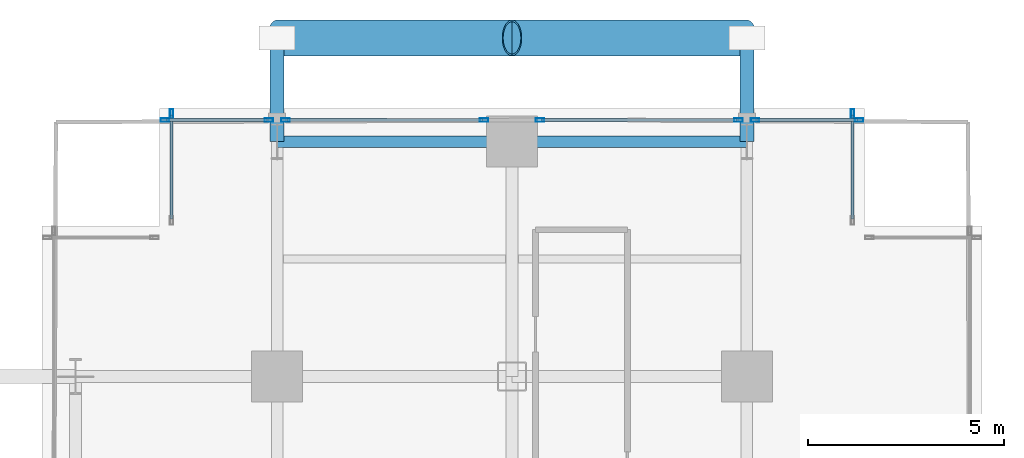
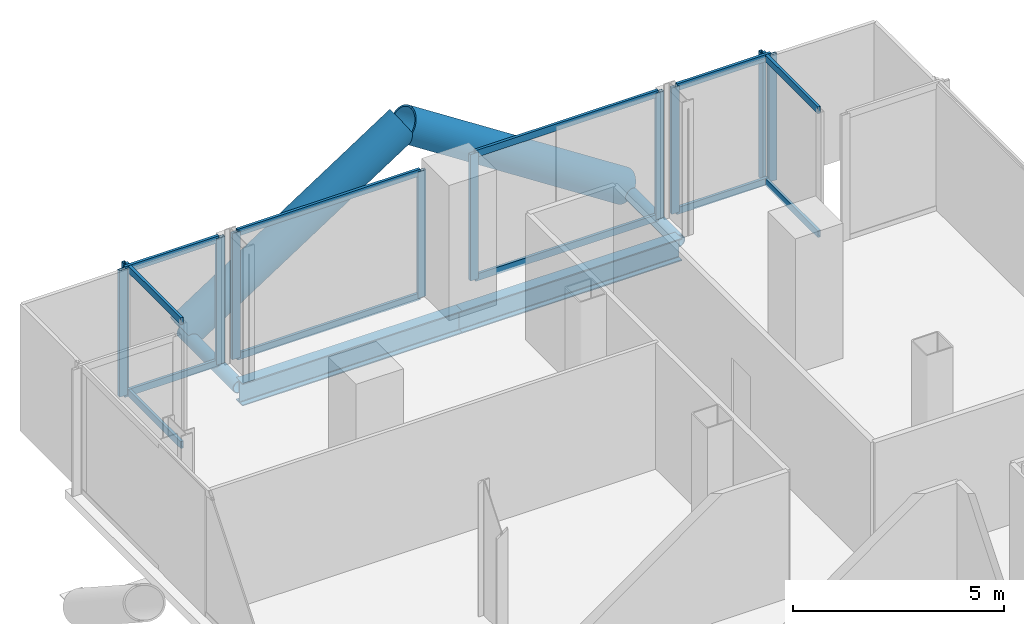
# One storey, part 16 of 25: 26 members, 2 beams, 6 elements without a shape of their own.
"""IFC4 building model written with IfcOpenShell, lengths in metres."""

from ifc_helpers import new_model, si_unit, direction, frame, origin, origin_2d, place, context, subcontext, project, spatial, hollow_rectangle, hollow_circle, i_section, extrude, material, layer, layer_set, material_profile, profile_set, type_object, element, aggregate, save


model = new_model("IFC4")

# Units and contexts
model_context = context("Model", 3, precision=1e-05, world=origin(), true_north=direction((0.0, 1.0)))
body_context = subcontext(model_context, "Body", "Model", "MODEL_VIEW")
ifc_project = project(units=[si_unit("LENGTHUNIT", "METRE"), si_unit("AREAUNIT", "SQUARE_METRE"), si_unit("VOLUMEUNIT", "CUBIC_METRE"), si_unit("PLANEANGLEUNIT", "RADIAN"), si_unit("MASSUNIT", "GRAM", prefix="KILO"), si_unit("THERMODYNAMICTEMPERATUREUNIT", "KELVIN"), si_unit("POWERUNIT", "WATT")], contexts=[model_context])

# Site, building, storey
site_placement = place(None, origin())
site = spatial("IfcSite", under=ifc_project, at=site_placement, CompositionType="ELEMENT")
building_placement = place(site_placement, origin())
building = spatial("IfcBuilding", under=site, at=building_placement, Name="Svarakhadi Broadcast Tower", CompositionType="ELEMENT")
storey_placement = place(building_placement, frame((0.0, 0.0, 32.39990234375)))
storey = spatial("IfcBuildingStorey", under=building, at=storey_placement, Name="L06", CompositionType="ELEMENT", Elevation=32.39990234375)

# Curtain wall, member
ifc_material_1 = material(Name="Anodised Bronze Aluminium AA 6063-T6", Category="aluminium")
ifc_layer = layer(ifc_material_1, 0.219970703125)
ifc_layer_set = layer_set([ifc_layer], Name="Anodised Bronze Aluminium AA 6063-T6")
curtain_wall_type = type_object("IfcCurtainWallType", Name="CW_Sys_02", PredefinedType="NOTDEFINED", material=ifc_layer_set)
curtain_wall_1_placement = place(storey_placement, origin())
curtain_wall_1 = element("IfcCurtainWall", 1, at=curtain_wall_1_placement, inside=storey, type_object=curtain_wall_type, Name="L06 Unitised Facade Curtain Wall 05", PredefinedType="NOTDEFINED")
ifc_material_profile_1 = material_profile(ifc_material_1, hollow_rectangle(XDim=0.0849609375, YDim=0.219970703125, WallThickness=0.006103515625, at=origin_2d()), Name="ALU MULLION 220x85x6")
ifc_profile_set_1 = profile_set([ifc_material_profile_1], Name="Anodised Bronze Aluminium AA 6063-T6")
member_type_1 = type_object("IfcMemberType", Name="CW_Sys_02_Mul", PredefinedType="MULLION", material=ifc_profile_set_1)
member_1_placement = place(storey_placement, frame((3.300048828125, 47.867431640625, 0.0), z_axis=(0.0, 0.0, 1.0), x_axis=(-1.0, 0.0, 0.0)))
member_1 = element("IfcMember", 2, at=member_1_placement, type_object=member_type_1, Name="CW-02 mullion 2", PredefinedType="MULLION", context=body_context, shape_type="SweptSolid", body=[
    extrude(hollow_rectangle(XDim=0.0849609375, YDim=0.219970703125, WallThickness=0.006103515625, at=origin_2d()), origin(), (0.0, 0.0, 1.0), 3.650146484375),
])

# Curtain wall, members
curtain_wall_2_placement = place(storey_placement, origin())
curtain_wall_2 = element("IfcCurtainWall", 3, at=curtain_wall_2_placement, inside=storey, type_object=curtain_wall_type, Name="L06 Unitised Facade Curtain Wall 06 Bay 1", PredefinedType="NOTDEFINED")
member_2_placement = place(storey_placement, frame((3.132568359375, 47.699951171875, 0.0), z_axis=(0.0, 0.0, 1.0), x_axis=(0.0, 1.0, 0.0)))
member_2 = element("IfcMember", 4, at=member_2_placement, type_object=member_type_1, Name="CW-02 mullion 1", PredefinedType="MULLION", context=body_context, shape_type="SweptSolid", body=[
    extrude(hollow_rectangle(XDim=0.0849609375, YDim=0.219970703125, WallThickness=0.006103515625, at=origin_2d()), origin(), (0.0, 0.0, 1.0), 3.650146484375),
])
member_3_placement = place(storey_placement, frame((5.78759765625, 47.699951171875, 0.0), z_axis=(0.0, 0.0, 1.0), x_axis=(0.0, 1.0, 0.0)))
member_3 = element("IfcMember", 5, at=member_3_placement, type_object=member_type_1, Name="CW-02 mullion 2", PredefinedType="MULLION", context=body_context, shape_type="SweptSolid", body=[
    extrude(hollow_rectangle(XDim=0.0849609375, YDim=0.219970703125, WallThickness=0.006103515625, at=origin_2d()), origin(), (0.0, 0.0, 1.0), 3.650146484375),
])

curtain_wall_3_placement = place(storey_placement, origin())
curtain_wall_3 = element("IfcCurtainWall", 6, at=curtain_wall_3_placement, inside=storey, type_object=curtain_wall_type, Name="L06 Unitised Facade Curtain Wall 06 Bay 2", PredefinedType="NOTDEFINED")
member_4_placement = place(storey_placement, frame((6.21240234375, 47.699951171875, 0.0), z_axis=(0.0, 0.0, 1.0), x_axis=(0.0, 1.0, 0.0)))
member_4 = element("IfcMember", 7, at=member_4_placement, type_object=member_type_1, Name="CW-02 mullion 1", PredefinedType="MULLION", context=body_context, shape_type="SweptSolid", body=[
    extrude(hollow_rectangle(XDim=0.0849609375, YDim=0.219970703125, WallThickness=0.006103515625, at=origin_2d()), origin(), (0.0, 0.0, 1.0), 3.650146484375),
])
member_5_placement = place(storey_placement, frame((11.28759765625, 47.699951171875, 0.0), z_axis=(0.0, 0.0, 1.0), x_axis=(0.0, 1.0, 0.0)))
member_5 = element("IfcMember", 8, at=member_5_placement, type_object=member_type_1, Name="CW-02 mullion 2", PredefinedType="MULLION", context=body_context, shape_type="SweptSolid", body=[
    extrude(hollow_rectangle(XDim=0.0849609375, YDim=0.219970703125, WallThickness=0.006103515625, at=origin_2d()), origin(), (0.0, 0.0, 1.0), 3.650146484375),
])

curtain_wall_4_placement = place(storey_placement, origin())
curtain_wall_4 = element("IfcCurtainWall", 9, at=curtain_wall_4_placement, inside=storey, type_object=curtain_wall_type, Name="L06 Unitised Facade Curtain Wall 06 Bay 3", PredefinedType="NOTDEFINED")
member_6_placement = place(storey_placement, frame((12.71240234375, 47.699951171875, 0.0), z_axis=(0.0, 0.0, 1.0), x_axis=(0.0, 1.0, 0.0)))
member_6 = element("IfcMember", 10, at=member_6_placement, type_object=member_type_1, Name="CW-02 mullion 1", PredefinedType="MULLION", context=body_context, shape_type="SweptSolid", body=[
    extrude(hollow_rectangle(XDim=0.0849609375, YDim=0.219970703125, WallThickness=0.006103515625, at=origin_2d()), origin(), (0.0, 0.0, 1.0), 3.650146484375),
])
member_7_placement = place(storey_placement, frame((17.78759765625, 47.699951171875, 0.0), z_axis=(0.0, 0.0, 1.0), x_axis=(0.0, 1.0, 0.0)))
member_7 = element("IfcMember", 11, at=member_7_placement, type_object=member_type_1, Name="CW-02 mullion 2", PredefinedType="MULLION", context=body_context, shape_type="SweptSolid", body=[
    extrude(hollow_rectangle(XDim=0.0849609375, YDim=0.219970703125, WallThickness=0.006103515625, at=origin_2d()), origin(), (0.0, 0.0, 1.0), 3.650146484375),
])

curtain_wall_5_placement = place(storey_placement, origin())
curtain_wall_5 = element("IfcCurtainWall", 12, at=curtain_wall_5_placement, inside=storey, type_object=curtain_wall_type, Name="L06 Unitised Facade Curtain Wall 06 Bay 4", PredefinedType="NOTDEFINED")
member_8_placement = place(storey_placement, frame((18.21240234375, 47.699951171875, 0.0), z_axis=(0.0, 0.0, 1.0), x_axis=(0.0, 1.0, 0.0)))
member_8 = element("IfcMember", 13, at=member_8_placement, type_object=member_type_1, Name="CW-02 mullion 1", PredefinedType="MULLION", context=body_context, shape_type="SweptSolid", body=[
    extrude(hollow_rectangle(XDim=0.0849609375, YDim=0.219970703125, WallThickness=0.006103515625, at=origin_2d()), origin(), (0.0, 0.0, 1.0), 3.650146484375),
])
member_9_placement = place(storey_placement, frame((20.867431640625, 47.699951171875, 0.0), z_axis=(0.0, 0.0, 1.0), x_axis=(0.0, 1.0, 0.0)))
member_9 = element("IfcMember", 14, at=member_9_placement, type_object=member_type_1, Name="CW-02 mullion 2", PredefinedType="MULLION", context=body_context, shape_type="SweptSolid", body=[
    extrude(hollow_rectangle(XDim=0.0849609375, YDim=0.219970703125, WallThickness=0.006103515625, at=origin_2d()), origin(), (0.0, 0.0, 1.0), 3.650146484375),
])

# Curtain wall, member
curtain_wall_6_placement = place(storey_placement, origin())
curtain_wall_6 = element("IfcCurtainWall", 15, at=curtain_wall_6_placement, inside=storey, type_object=curtain_wall_type, Name="L06 Unitised Facade Curtain Wall 07", PredefinedType="NOTDEFINED")
member_10_placement = place(storey_placement, frame((20.699951171875, 47.867431640625, 0.0), z_axis=(0.0, 0.0, 1.0), x_axis=(1.0, 0.0, 0.0)))
member_10 = element("IfcMember", 16, at=member_10_placement, type_object=member_type_1, Name="CW-02 mullion 1", PredefinedType="MULLION", context=body_context, shape_type="SweptSolid", body=[
    extrude(hollow_rectangle(XDim=0.0849609375, YDim=0.219970703125, WallThickness=0.006103515625, at=origin_2d()), origin(), (0.0, 0.0, 1.0), 3.650146484375),
])

# Member
ifc_material_profile_2 = material_profile(ifc_material_1, hollow_rectangle(XDim=0.074951171875, YDim=0.199951171875, WallThickness=0.0048828125, at=origin_2d()), Name="ALU TRANSOM 200x75x5")
ifc_profile_set_2 = profile_set([ifc_material_profile_2], Name="Anodised Bronze Aluminium AA 6063-T6")
member_type_2 = type_object("IfcMemberType", Name="CW_Sys_02_Trn", PredefinedType="USERDEFINED", material=ifc_profile_set_2)
member_11_placement = place(storey_placement, frame((3.300048828125, 45.175048828125, 0.03759765625), z_axis=(0.0, 1.0, 0.0), x_axis=(-1.0, 0.0, 0.0)))
member_11 = element("IfcMember", 17, at=member_11_placement, type_object=member_type_2, Name="CW-02 transom 1.1", ObjectType="TRANSOM", PredefinedType="USERDEFINED", context=body_context, shape_type="SweptSolid", body=[
    extrude(hollow_rectangle(XDim=0.074951171875, YDim=0.199951171875, WallThickness=0.0048828125, at=origin_2d()), origin(), (0.0, 0.0, 1.0), 2.64990234375),
])

member_12_placement = place(storey_placement, frame((3.300048828125, 45.175048828125, 3.612548828125), z_axis=(0.0, 1.0, 0.0), x_axis=(-1.0, 0.0, 0.0)))
member_12 = element("IfcMember", 18, at=member_12_placement, type_object=member_type_2, Name="CW-02 transom 1.2", ObjectType="TRANSOM", PredefinedType="USERDEFINED", context=body_context, shape_type="SweptSolid", body=[
    extrude(hollow_rectangle(XDim=0.074951171875, YDim=0.199951171875, WallThickness=0.0048828125, at=origin_2d()), origin(), (0.0, 0.0, 1.0), 2.64990234375),
])

aggregate(curtain_wall_1, [member_1, member_11, member_12])

member_13_placement = place(storey_placement, frame((3.175048828125, 47.699951171875, 0.03759765625), z_axis=(1.0, 0.0, 0.0), x_axis=(0.0, 1.0, 0.0)))
member_13 = element("IfcMember", 19, at=member_13_placement, type_object=member_type_2, Name="CW-02 transom 1.1", ObjectType="TRANSOM", PredefinedType="USERDEFINED", context=body_context, shape_type="SweptSolid", body=[
    extrude(hollow_rectangle(XDim=0.074951171875, YDim=0.199951171875, WallThickness=0.0048828125, at=origin_2d()), origin(), (0.0, 0.0, 1.0), 2.570068359375),
])

member_14_placement = place(storey_placement, frame((3.175048828125, 47.699951171875, 3.612548828125), z_axis=(1.0, 0.0, 0.0), x_axis=(0.0, 1.0, 0.0)))
member_14 = element("IfcMember", 20, at=member_14_placement, type_object=member_type_2, Name="CW-02 transom 1.2", ObjectType="TRANSOM", PredefinedType="USERDEFINED", context=body_context, shape_type="SweptSolid", body=[
    extrude(hollow_rectangle(XDim=0.074951171875, YDim=0.199951171875, WallThickness=0.0048828125, at=origin_2d()), origin(), (0.0, 0.0, 1.0), 2.570068359375),
])

aggregate(curtain_wall_2, [member_2, member_3, member_13, member_14])

member_15_placement = place(storey_placement, frame((6.2548828125, 47.699951171875, 0.03759765625), z_axis=(1.0, 0.0, 0.0), x_axis=(0.0, 1.0, 0.0)))
member_15 = element("IfcMember", 21, at=member_15_placement, type_object=member_type_2, Name="CW-02 transom 1.1", ObjectType="TRANSOM", PredefinedType="USERDEFINED", context=body_context, shape_type="SweptSolid", body=[
    extrude(hollow_rectangle(XDim=0.074951171875, YDim=0.199951171875, WallThickness=0.0048828125, at=origin_2d()), origin(), (0.0, 0.0, 1.0), 4.990234375),
])

member_16_placement = place(storey_placement, frame((6.2548828125, 47.699951171875, 3.612548828125), z_axis=(1.0, 0.0, 0.0), x_axis=(0.0, 1.0, 0.0)))
member_16 = element("IfcMember", 22, at=member_16_placement, type_object=member_type_2, Name="CW-02 transom 1.2", ObjectType="TRANSOM", PredefinedType="USERDEFINED", context=body_context, shape_type="SweptSolid", body=[
    extrude(hollow_rectangle(XDim=0.074951171875, YDim=0.199951171875, WallThickness=0.0048828125, at=origin_2d()), origin(), (0.0, 0.0, 1.0), 4.990234375),
])

aggregate(curtain_wall_3, [member_4, member_5, member_15, member_16])

member_17_placement = place(storey_placement, frame((12.7548828125, 47.699951171875, 0.03759765625), z_axis=(1.0, 0.0, 0.0), x_axis=(0.0, 1.0, 0.0)))
member_17 = element("IfcMember", 23, at=member_17_placement, type_object=member_type_2, Name="CW-02 transom 1.1", ObjectType="TRANSOM", PredefinedType="USERDEFINED", context=body_context, shape_type="SweptSolid", body=[
    extrude(hollow_rectangle(XDim=0.074951171875, YDim=0.199951171875, WallThickness=0.0048828125, at=origin_2d()), origin(), (0.0, 0.0, 1.0), 4.990234375),
])

member_18_placement = place(storey_placement, frame((12.7548828125, 47.699951171875, 3.612548828125), z_axis=(1.0, 0.0, 0.0), x_axis=(0.0, 1.0, 0.0)))
member_18 = element("IfcMember", 24, at=member_18_placement, type_object=member_type_2, Name="CW-02 transom 1.2", ObjectType="TRANSOM", PredefinedType="USERDEFINED", context=body_context, shape_type="SweptSolid", body=[
    extrude(hollow_rectangle(XDim=0.074951171875, YDim=0.199951171875, WallThickness=0.0048828125, at=origin_2d()), origin(), (0.0, 0.0, 1.0), 4.990234375),
])

aggregate(curtain_wall_4, [member_6, member_7, member_17, member_18])

member_19_placement = place(storey_placement, frame((18.2548828125, 47.699951171875, 0.03759765625), z_axis=(1.0, 0.0, 0.0), x_axis=(0.0, 1.0, 0.0)))
member_19 = element("IfcMember", 25, at=member_19_placement, type_object=member_type_2, Name="CW-02 transom 1.1", ObjectType="TRANSOM", PredefinedType="USERDEFINED", context=body_context, shape_type="SweptSolid", body=[
    extrude(hollow_rectangle(XDim=0.074951171875, YDim=0.199951171875, WallThickness=0.0048828125, at=origin_2d()), origin(), (0.0, 0.0, 1.0), 2.570068359375),
])

member_20_placement = place(storey_placement, frame((18.2548828125, 47.699951171875, 3.612548828125), z_axis=(1.0, 0.0, 0.0), x_axis=(0.0, 1.0, 0.0)))
member_20 = element("IfcMember", 26, at=member_20_placement, type_object=member_type_2, Name="CW-02 transom 1.2", ObjectType="TRANSOM", PredefinedType="USERDEFINED", context=body_context, shape_type="SweptSolid", body=[
    extrude(hollow_rectangle(XDim=0.074951171875, YDim=0.199951171875, WallThickness=0.0048828125, at=origin_2d()), origin(), (0.0, 0.0, 1.0), 2.570068359375),
])

aggregate(curtain_wall_5, [member_8, member_9, member_19, member_20])

member_21_placement = place(storey_placement, frame((20.699951171875, 47.824951171875, 0.03759765625), z_axis=(0.0, -1.0, 0.0), x_axis=(1.0, 0.0, 0.0)))
member_21 = element("IfcMember", 27, at=member_21_placement, type_object=member_type_2, Name="CW-02 transom 1.1", ObjectType="TRANSOM", PredefinedType="USERDEFINED", context=body_context, shape_type="SweptSolid", body=[
    extrude(hollow_rectangle(XDim=0.074951171875, YDim=0.199951171875, WallThickness=0.0048828125, at=origin_2d()), origin(), (0.0, 0.0, 1.0), 2.64990234375),
])

member_22_placement = place(storey_placement, frame((20.699951171875, 47.824951171875, 3.612548828125), z_axis=(0.0, -1.0, 0.0), x_axis=(1.0, 0.0, 0.0)))
member_22 = element("IfcMember", 28, at=member_22_placement, type_object=member_type_2, Name="CW-02 transom 1.2", ObjectType="TRANSOM", PredefinedType="USERDEFINED", context=body_context, shape_type="SweptSolid", body=[
    extrude(hollow_rectangle(XDim=0.074951171875, YDim=0.199951171875, WallThickness=0.0048828125, at=origin_2d()), origin(), (0.0, 0.0, 1.0), 2.64990234375),
])

aggregate(curtain_wall_6, [member_10, member_21, member_22])

# Members
ifc_material_2 = material(Name="Steel S460ML (IS 2062 E450BR)", Category="steel")
ifc_material_profile_3 = material_profile(ifc_material_2, hollow_circle(Radius=0.45703125, WallThickness=0.044921875, at=origin_2d()), Name="CHS 914x45")
ifc_profile_set_3 = profile_set([ifc_material_profile_3], Name="Steel S460ML (IS 2062 E450BR)")
member_type_3 = type_object("IfcMemberType", Name="Exo_Brace_CHS914", PredefinedType="BRACE", material=ifc_profile_set_3)
for number, where, z_axis, x_axis, name in (
    (29, (6.0, 49.800048828125, -0.427734375), (0.838434262763, 0.0, 0.545002740383), (0.0, 1.0, 0.0), "L06 Exposed Bronze Exoskeleton Diagonal N10"),
    (30, (18.0, 49.800048828125, -0.427734375), (-0.838434262763, 0.0, 0.545002740383), (0.0, -1.0, 0.0), "L06 Exposed Bronze Exoskeleton Diagonal N11"),
):
    element("IfcMember", number, at=place(storey_placement, frame(where, z_axis=z_axis, x_axis=x_axis)), inside=storey, type_object=member_type_3, Name=name, PredefinedType="BRACE", context=body_context, shape_type="SweptSolid", body=[
        extrude(hollow_circle(Radius=0.45703125, WallThickness=0.044921875, at=origin_2d()), origin(), (0.0, 0.0, 1.0), 7.15625),
    ])
ifc_material_profile_4 = material_profile(ifc_material_2, hollow_circle(Radius=0.177734375, WallThickness=0.02001953125, at=origin_2d()), Name="CHS 355.6x20")
ifc_profile_set_4 = profile_set([ifc_material_profile_4], Name="Steel S460ML (IS 2062 E450BR)")
member_type_4 = type_object("IfcMemberType", Name="Exo_Radial_Strut_Z1", PredefinedType="STRUT", material=ifc_profile_set_4)
for number, where, z_axis, x_axis, name in (
    (31, (6.0, 49.800048828125, -0.427734375), (0.0, -1.0, 0.0), (1.0, 0.0, 0.0), "L06 Exoskeleton Radial Tie Strut N07"),
    (32, (18.0, 49.800048828125, -0.427734375), (0.0, -1.0, 0.0), (1.0, 0.0, 0.0), "L06 Exoskeleton Radial Tie Strut N08"),
):
    element("IfcMember", number, at=place(storey_placement, frame(where, z_axis=z_axis, x_axis=x_axis)), inside=storey, type_object=member_type_4, Name=name, PredefinedType="STRUT", context=body_context, shape_type="SweptSolid", body=[
        extrude(hollow_circle(Radius=0.177734375, WallThickness=0.02001953125, at=origin_2d()), origin(), (0.0, 0.0, 1.0), 2.650146484375),
    ])

# Beams
ifc_material_3 = material(Name="Steel S355J2 (IS 2062 E350C)", Category="steel")
ifc_material_profile_5 = material_profile(ifc_material_3, i_section(OverallWidth=0.300048828125, OverallDepth=0.64990234375, WebThickness=0.01611328125, FlangeThickness=0.031005859375, FilletRadius=0.027099609375, at=origin_2d()), Name="WPB 650x300x225")
ifc_profile_set_5 = profile_set([ifc_material_profile_5], Name="Steel S355J2 (IS 2062 E350C)")
beam_type = type_object("IfcBeamType", Name="Girder_WPB650", PredefinedType="USERDEFINED", material=ifc_profile_set_5)
for number, where, z_axis, x_axis, name in (
    (33, (6.0, 47.14990234375, -0.574951171875), (1.0, 0.0, 0.0), (0.0, 1.0, 0.0), "L06 Primary E-W Girder G043"),
    (34, (12.0, 47.14990234375, -0.574951171875), (1.0, 0.0, 0.0), (0.0, 1.0, 0.0), "L06 Primary E-W Girder G044"),
):
    element("IfcBeam", number, at=place(storey_placement, frame(where, z_axis=z_axis, x_axis=x_axis)), inside=storey, type_object=beam_type, Name=name, ObjectType="GIRDER", PredefinedType="USERDEFINED", context=body_context, shape_type="SweptSolid", body=[
        extrude(i_section(OverallWidth=0.300048828125, OverallDepth=0.64990234375, WebThickness=0.01611328125, FlangeThickness=0.031005859375, FilletRadius=0.027099609375, at=origin_2d()), origin(), (0.0, 0.0, 1.0), 6.0),
    ])

save(model, "model.ifc")
